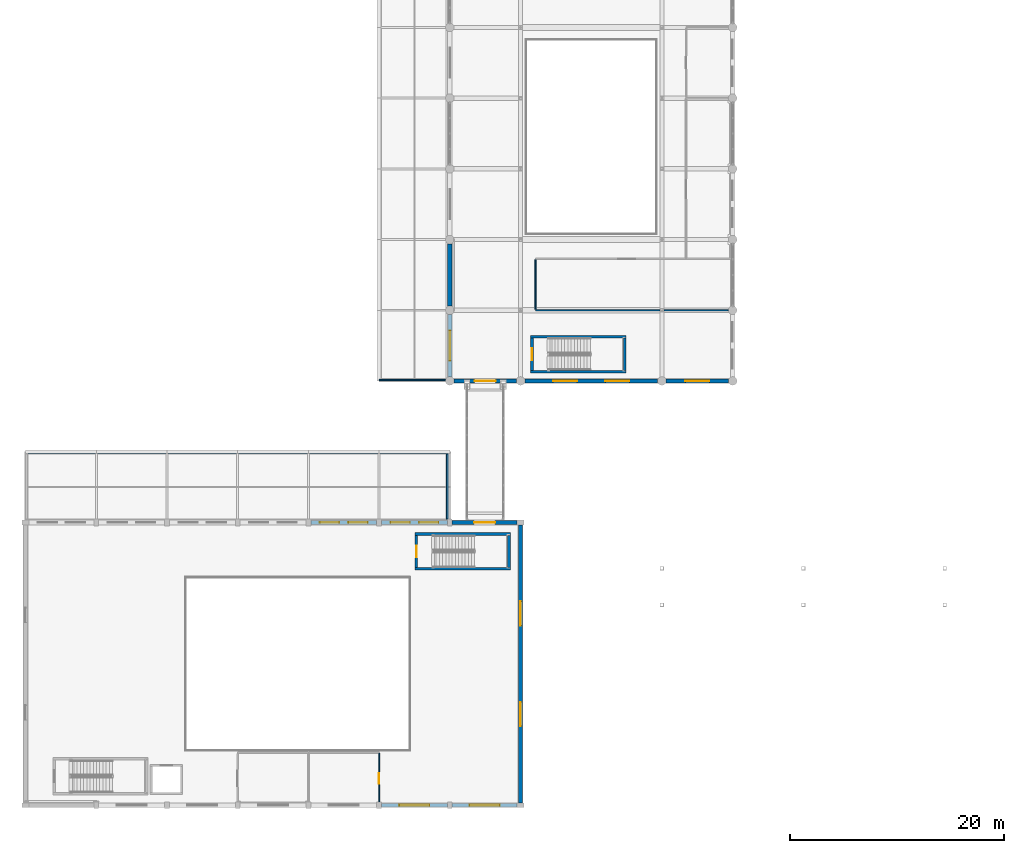
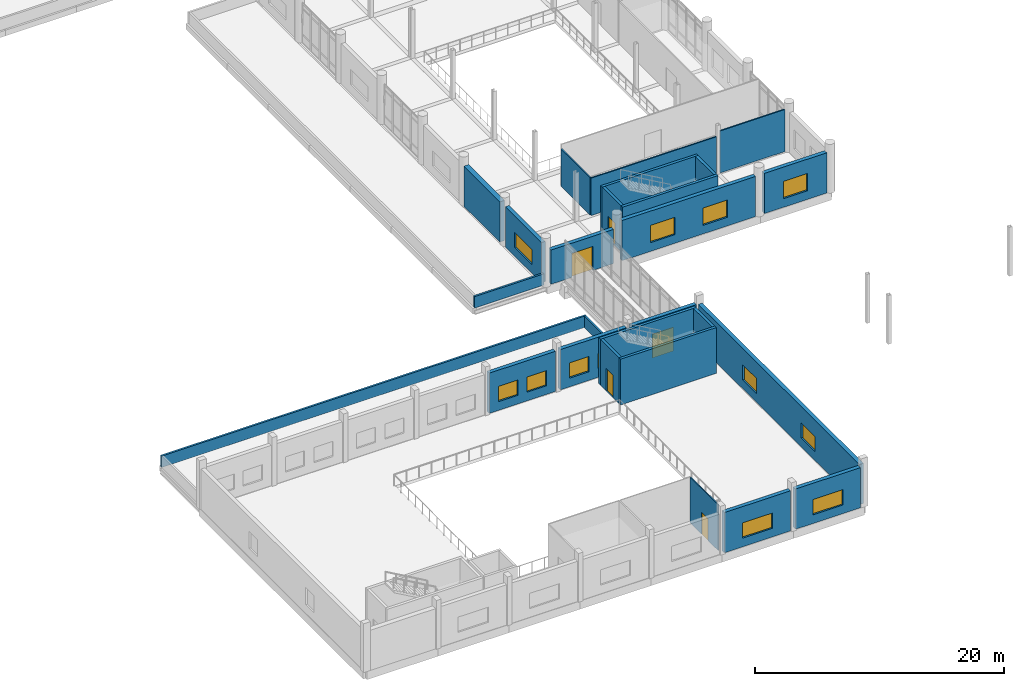
# One storey, part 87 of 125: 26 walls, 12 windows, 5 doors, 17 openings.
"""IFC4 building model written with IfcOpenShell, lengths in metres."""

from ifc_helpers import new_model, si_unit, direction, frame, frame_2d, origin, place, context, subcontext, project, spatial, rectangle, extrude, material, layer, layer_set, type_object, element, fill, save


model = new_model("IFC4")

# Units and contexts
model_context = context("Model", 3, precision=1e-05, world=origin(), true_north=direction((0.0, 1.0)))
body_context = subcontext(model_context, "Body", "Model", "MODEL_VIEW")
ifc_project = project(units=[si_unit("LENGTHUNIT", "METRE"), si_unit("AREAUNIT", "SQUARE_METRE"), si_unit("VOLUMEUNIT", "CUBIC_METRE"), si_unit("PLANEANGLEUNIT", "RADIAN"), si_unit("MASSUNIT", "GRAM", prefix="KILO")], contexts=[model_context])

# Site, building, storey
site_placement = place(None, origin())
site = spatial("IfcSite", under=ifc_project, at=site_placement, CompositionType="ELEMENT")
building_placement = place(site_placement, origin())
building = spatial("IfcBuilding", under=site, at=building_placement, Name="Dornvale Research Institute", CompositionType="ELEMENT")
storey_placement = place(building_placement, frame((0.0, 0.0, 5.39990234375)))
storey = spatial("IfcBuildingStorey", under=building, at=storey_placement, Name="L01", CompositionType="ELEMENT", Elevation=5.39990234375)

# Walls
ifc_material_1 = material(Name="Concrete f'c 40 MPa (C32/40)", Category="concrete")
ifc_layer_1 = layer(ifc_material_1, 0.179931640625)
ifc_layer_set_1 = layer_set([ifc_layer_1], Name="Concrete f'c 40 MPa (C32/40)")
wall_type_1 = type_object("IfcWallType", Name="Parapet_Terrace_180", PredefinedType="PARAPET", material=ifc_layer_set_1)
wall_1_placement = place(storey_placement, frame((0.0, 32.909912109375, 0.0), z_axis=(0.0, 0.0, 1.0), x_axis=(1.0, 0.0, 0.0)))
element("IfcWall", 1, at=wall_1_placement, inside=storey, type_object=wall_type_1, Name="L01 V6-S parapet N", PredefinedType="PARAPET", context=body_context, shape_type="SweptSolid", body=[
    extrude(rectangle(XDim=39.449951171875, YDim=0.179931640625, at=frame_2d((19.72509765625, 0.0))), origin(), (0.0, 0.0, 1.0), 1.1201171875),
])
wall_2_placement = place(storey_placement, frame((39.360107421875, 26.679931640625, 0.0), z_axis=(0.0, 0.0, 1.0), x_axis=(0.0, 1.0, 0.0)))
element("IfcWall", 2, at=wall_2_placement, inside=storey, type_object=wall_type_1, Name="L01 V6-S parapet E", PredefinedType="PARAPET", context=body_context, shape_type="SweptSolid", body=[
    extrude(rectangle(XDim=6.14013671875, YDim=0.179931640625, at=frame_2d((3.070068359375, 0.0))), origin(), (0.0, 0.0, 1.0), 1.1201171875),
])
wall_3_placement = place(storey_placement, frame((33.0, 39.68994140625, 0.0), z_axis=(0.0, 0.0, 1.0), x_axis=(1.0, 0.0, 0.0)))
element("IfcWall", 3, at=wall_3_placement, inside=storey, type_object=wall_type_1, Name="L01 V6-E parapet S", PredefinedType="PARAPET", context=body_context, shape_type="SweptSolid", body=[
    extrude(rectangle(XDim=6.449951171875, YDim=0.179931640625, at=frame_2d((3.22509765625, 0.0))), origin(), (0.0, 0.0, 1.0), 1.1201171875),
])
ifc_material_2 = material(Name="Acoustic Insulated Double-Stud Laboratory Partition")
ifc_layer_2 = layer(ifc_material_2, 0.1201171875)
ifc_layer_set_2 = layer_set([ifc_layer_2], Name="Acoustic Insulated Double-Stud Laboratory Partition")
wall_type_2 = type_object("IfcWallType", Name="Partition_Dry_120", PredefinedType="PARTITIONING", material=ifc_layer_set_2)
wall_4_placement = place(storey_placement, frame((47.60009765625, 46.199951171875, 0.0), z_axis=(0.0, 0.0, 1.0), x_axis=(1.0, 0.0, 0.0)))
element("IfcWall", 4, at=wall_4_placement, inside=storey, type_object=wall_type_2, Name="L01 V2 interior partition #224", PredefinedType="PARTITIONING", context=body_context, shape_type="SweptSolid", body=[
    extrude(rectangle(XDim=11.62744140625, YDim=0.1201171875, at=frame_2d((5.813720703125, 0.0))), origin(), (0.0, 0.0, 1.0), 3.68017578125),
])
wall_5_placement = place(storey_placement, frame((59.572509765625, 46.199951171875, 0.0), z_axis=(0.0, 0.0, 1.0), x_axis=(1.0, 0.0, 0.0)))
element("IfcWall", 5, at=wall_5_placement, inside=storey, type_object=wall_type_2, Name="L01 V2 interior partition #225", PredefinedType="PARTITIONING", context=body_context, shape_type="SweptSolid", body=[
    extrude(rectangle(XDim=6.007568359375, YDim=0.1201171875, at=frame_2d((3.00390625, 0.0))), origin(), (0.0, 0.0, 1.0), 4.130126953125),
])
wall_6_placement = place(storey_placement, frame((47.60009765625, 46.27490234375, 0.0), z_axis=(0.0, 0.0, 1.0), x_axis=(0.0, 1.0, 0.0)))
element("IfcWall", 6, at=wall_6_placement, inside=storey, type_object=wall_type_2, Name="L01 V2 interior partition #227", PredefinedType="PARTITIONING", context=body_context, shape_type="SweptSolid", body=[
    extrude(rectangle(XDim=4.650146484375, YDim=0.1201171875, at=frame_2d((2.3251953125, 0.0))), origin(), (0.0, 0.0, 1.0), 3.68017578125),
])

# Wall, opening, door
ifc_material_3 = material(Name="Acoustic Insulated Double-Stud Laboratory Partition")
ifc_layer_3 = layer(ifc_material_3, 0.10009765625)
ifc_layer_set_3 = layer_set([ifc_layer_3], Name="Acoustic Insulated Double-Stud Laboratory Partition")
wall_type_3 = type_object("IfcWallType", Name="Partition_Office_100", PredefinedType="PARTITIONING", material=ifc_layer_set_3)
wall_7_placement = place(storey_placement, frame((33.0, 0.344970703125, 0.0), z_axis=(0.0, 0.0, 1.0), x_axis=(0.0, 1.0, 0.0)))
wall_7 = element("IfcWall", 7, at=wall_7_placement, inside=storey, type_object=wall_type_3, Name="L01 V1 interior partition #236", PredefinedType="PARTITIONING", context=body_context, shape_type="SweptSolid", body=[
    extrude(rectangle(XDim=4.489990234375, YDim=0.10009765625, at=frame_2d((2.2451171875, 0.0))), origin(), (0.0, 0.0, 1.0), 4.47998046875),
])
opening_1_placement = place(wall_7_placement, frame((1.655029296875, 0.0, 0.0)))
opening_1 = element("IfcOpeningElement", 8, at=opening_1_placement, cuts=wall_7, Name="Opening ID-24", PredefinedType="OPENING", context=body_context, shape_type="SweptSolid", body=[
    extrude(rectangle(XDim=1.0, YDim=2.14990234375, at=frame_2d((0.5, 1.074951171875))), frame((0.0, 0.06494140625, 0.0), z_axis=(0.0, -1.0, 0.0), x_axis=(1.0, 0.0, 0.0)), (0.0, 0.0, 1.0), 0.130126953125),
])
ifc_material_4 = material(Name="Phenolic-Faced Solid-Core Laboratory Door Assembly")
door_type_1 = type_object("IfcDoorType", Name="Door_AccWC_1000x2150", OperationType="SINGLE_SWING_LEFT", PredefinedType="DOOR", material=ifc_material_4)
door_1_placement = place(opening_1_placement, origin())
door_1 = element("IfcDoor", 9, at=door_1_placement, inside=storey, type_object=door_type_1, Name="L01 Balcony Accessible Restroom L01 door #94", OperationType="SINGLE_SWING_LEFT", OverallHeight=2.14990234375, OverallWidth=1.0, PredefinedType="DOOR", context=body_context, shape_type="SweptSolid", body=[
    extrude(rectangle(XDim=1.0, YDim=2.14990234375, at=frame_2d((0.5, 1.074951171875))), frame((0.0, 0.02490234375, 0.0), z_axis=(0.0, -1.0, 0.0), x_axis=(1.0, 0.0, 0.0)), (0.0, 0.0, 1.0), 0.050048828125),
])
fill(opening_1, door_1)

# Walls
ifc_material_5 = material(Name="Concrete f'c 45 MPa (C35/45)", Category="concrete")
ifc_layer_4 = layer(ifc_material_5, 0.25)
ifc_layer_set_4 = layer_set([ifc_layer_4], Name="Concrete f'c 45 MPa (C35/45)")
wall_type_4 = type_object("IfcWallType", Name="ShearWall_Core_250", PredefinedType="SHEAR", material=ifc_layer_set_4)
for number, where, z_axis, x_axis, name in (
    (10, (47.14990234375, 40.47509765625, 0.0), (0.0, 0.0, 1.0), (1.0, 0.0, 0.0), "L01 ST-7 shaft shear wall south"),
    (11, (47.14990234375, 43.72509765625, 0.0), (0.0, 0.0, 1.0), (1.0, 0.0, 0.0), "L01 ST-7 shaft shear wall north"),
):
    element("IfcWall", number, at=place(storey_placement, frame(where, z_axis=z_axis, x_axis=x_axis)), inside=storey, type_object=wall_type_4, Name=name, PredefinedType="SHEAR", context=body_context, shape_type="SweptSolid", body=[
        extrude(rectangle(XDim=8.900146484375, YDim=0.25, at=frame_2d((4.4501953125, 0.0))), origin(), (0.0, 0.0, 1.0), 4.5),
    ])

# Wall, opening, door
wall_8_placement = place(storey_placement, frame((47.27490234375, 40.60009765625, 0.0), z_axis=(0.0, 0.0, 1.0), x_axis=(0.0, 1.0, 0.0)))
wall_8 = element("IfcWall", 12, at=wall_8_placement, inside=storey, type_object=wall_type_4, Name="L01 ST-7 shaft shear wall west", PredefinedType="SHEAR", context=body_context, shape_type="SweptSolid", body=[
    extrude(rectangle(XDim=3.0, YDim=0.25, at=frame_2d((1.5, 0.0))), origin(), (0.0, 0.0, 1.0), 4.5),
])
opening_2_placement = place(wall_8_placement, frame((0.93994140625, 0.0, 0.0)))
opening_2 = element("IfcOpeningElement", 13, at=opening_2_placement, cuts=wall_8, Name="Opening SD-01", PredefinedType="OPENING", context=body_context, shape_type="SweptSolid", body=[
    extrude(rectangle(XDim=1.1201171875, YDim=2.199951171875, at=frame_2d((0.56005859375, 1.10009765625))), frame((0.0, 0.139892578125, 0.0), z_axis=(0.0, -1.0, 0.0), x_axis=(1.0, 0.0, 0.0)), (0.0, 0.0, 1.0), 0.280029296875),
])
ifc_material_6 = material(Name="Insulated Fire-Rated Hollow Metal Door Assembly")
door_type_2 = type_object("IfcDoorType", Name="Door_Stair_1120x2200", OperationType="SINGLE_SWING_LEFT", PredefinedType="DOOR", material=ifc_material_6)
door_2_placement = place(opening_2_placement, origin())
door_2 = element("IfcDoor", 14, at=door_2_placement, inside=storey, type_object=door_type_2, Name="L01 ST-7 exit stair door #52", OperationType="SINGLE_SWING_LEFT", OverallHeight=2.199951171875, OverallWidth=1.1201171875, PredefinedType="DOOR", context=body_context, shape_type="SweptSolid", body=[
    extrude(rectangle(XDim=1.1201171875, YDim=2.199951171875, at=frame_2d((0.56005859375, 1.10009765625))), frame((0.0, 0.02490234375, 0.0), z_axis=(0.0, -1.0, 0.0), x_axis=(1.0, 0.0, 0.0)), (0.0, 0.0, 1.0), 0.050048828125),
])
fill(opening_2, door_2)

# Walls
wall_9_placement = place(storey_placement, frame((55.925048828125, 40.60009765625, 0.0), z_axis=(0.0, 0.0, 1.0), x_axis=(0.0, 1.0, 0.0)))
element("IfcWall", 15, at=wall_9_placement, inside=storey, type_object=wall_type_4, Name="L01 ST-7 shaft shear wall east", PredefinedType="SHEAR", context=body_context, shape_type="SweptSolid", body=[
    extrude(rectangle(XDim=3.0, YDim=0.25, at=frame_2d((1.5, 0.0))), origin(), (0.0, 0.0, 1.0), 4.5),
])
for number, where, z_axis, x_axis, name in (
    (16, (36.35009765625, 22.074951171875, 0.0), (0.0, 0.0, 1.0), (1.0, 0.0, 0.0), "L01 ST-10 shaft shear wall south"),
    (17, (36.35009765625, 25.324951171875, 0.0), (0.0, 0.0, 1.0), (1.0, 0.0, 0.0), "L01 ST-10 shaft shear wall north"),
):
    element("IfcWall", number, at=place(storey_placement, frame(where, z_axis=z_axis, x_axis=x_axis)), inside=storey, type_object=wall_type_4, Name=name, PredefinedType="SHEAR", context=body_context, shape_type="SweptSolid", body=[
        extrude(rectangle(XDim=8.89990234375, YDim=0.25, at=frame_2d((4.449951171875, 0.0))), origin(), (0.0, 0.0, 1.0), 4.5),
    ])

# Wall, opening, door
wall_10_placement = place(storey_placement, frame((36.47509765625, 22.199951171875, 0.0), z_axis=(0.0, 0.0, 1.0), x_axis=(0.0, 1.0, 0.0)))
wall_10 = element("IfcWall", 18, at=wall_10_placement, inside=storey, type_object=wall_type_4, Name="L01 ST-10 shaft shear wall west", PredefinedType="SHEAR", context=body_context, shape_type="SweptSolid", body=[
    extrude(rectangle(XDim=3.0, YDim=0.25, at=frame_2d((1.5, 0.0))), origin(), (0.0, 0.0, 1.0), 4.5),
])
opening_3_placement = place(wall_10_placement, frame((0.9599609375, 0.0, 0.0)))
opening_3 = element("IfcOpeningElement", 19, at=opening_3_placement, cuts=wall_10, Name="Opening SD-02", PredefinedType="OPENING", context=body_context, shape_type="SweptSolid", body=[
    extrude(rectangle(XDim=1.080078125, YDim=2.199951171875, at=frame_2d((0.5400390625, 1.10009765625))), frame((0.0, 0.139892578125, 0.0), z_axis=(0.0, -1.0, 0.0), x_axis=(1.0, 0.0, 0.0)), (0.0, 0.0, 1.0), 0.280029296875),
])
ifc_material_7 = material(Name="Insulated Fire-Rated Hollow Metal Door Assembly")
door_type_3 = type_object("IfcDoorType", Name="Door_Stair_1080x2200", OperationType="SINGLE_SWING_LEFT", PredefinedType="DOOR", material=ifc_material_7)
door_3_placement = place(opening_3_placement, origin())
door_3 = element("IfcDoor", 20, at=door_3_placement, inside=storey, type_object=door_type_3, Name="L01 ST-10 exit stair door #63", OperationType="SINGLE_SWING_RIGHT", OverallHeight=2.199951171875, OverallWidth=1.080078125, PredefinedType="DOOR", context=body_context, shape_type="SweptSolid", body=[
    extrude(rectangle(XDim=1.080078125, YDim=2.199951171875, at=frame_2d((0.5400390625, 1.10009765625))), frame((0.0, 0.02490234375, 0.0), z_axis=(0.0, -1.0, 0.0), x_axis=(1.0, 0.0, 0.0)), (0.0, 0.0, 1.0), 0.050048828125),
])
fill(opening_3, door_3)

# Walls
wall_11_placement = place(storey_placement, frame((45.125, 22.199951171875, 0.0), z_axis=(0.0, 0.0, 1.0), x_axis=(0.0, 1.0, 0.0)))
element("IfcWall", 21, at=wall_11_placement, inside=storey, type_object=wall_type_4, Name="L01 ST-10 shaft shear wall east", PredefinedType="SHEAR", context=body_context, shape_type="SweptSolid", body=[
    extrude(rectangle(XDim=3.0, YDim=0.25, at=frame_2d((1.5, 0.0))), origin(), (0.0, 0.0, 1.0), 4.5),
])
ifc_material_8 = material(Name="Precast Concrete f'c 40 MPa (C32/40) and Glazed Terracotta Backup Wall", Category="masonry")
ifc_layer_5 = layer(ifc_material_8, 0.449951171875)
ifc_layer_set_5 = layer_set([ifc_layer_5], Name="Precast Concrete f'c 40 MPa (C32/40) and Glazed Terracotta Backup Wall")
wall_type_5 = type_object("IfcWallType", Name="SolidWall_ShearBraceBay_450", PredefinedType="SOLIDWALL", material=ifc_layer_set_5)
wall_12_placement = place(storey_placement, frame((39.60009765625, 46.594970703125, 0.0), z_axis=(0.0, 0.0, 1.0), x_axis=(0.0, 1.0, 0.0)))
element("IfcWall", 22, at=wall_12_placement, inside=storey, type_object=wall_type_5, Name="L01 V2 west exterior wall #66", PredefinedType="SOLIDWALL", context=body_context, shape_type="SweptSolid", body=[
    extrude(rectangle(XDim=5.81005859375, YDim=0.449951171875, at=frame_2d((2.905029296875, 0.0))), origin(), (0.0, 0.0, 1.0), 3.9501953125),
])

# Wall, openings, windows
ifc_material_9 = material(Name="Catalan Pressed Brick and Insulated Cavity Assembly", Category="masonry")
ifc_layer_6 = layer(ifc_material_9, 0.360107421875)
ifc_layer_set_6 = layer_set([ifc_layer_6], Name="Catalan Pressed Brick and Insulated Cavity Assembly")
wall_type_6 = type_object("IfcWallType", Name="StandardWall_BrickCavity_360", PredefinedType="STANDARD", material=ifc_layer_set_6)
wall_13_placement = place(storey_placement, frame((26.625, 26.39990234375, 0.0), z_axis=(0.0, 0.0, 1.0), x_axis=(1.0, 0.0, 0.0)))
wall_13 = element("IfcWall", 23, at=wall_13_placement, inside=storey, type_object=wall_type_6, Name="L01 V1 north exterior wall #22", PredefinedType="STANDARD", context=body_context, shape_type="SweptSolid", body=[
    extrude(rectangle(XDim=6.14990234375, YDim=0.360107421875, at=frame_2d((3.074951171875, 0.0))), origin(), (0.0, 0.0, 1.0), 3.9501953125),
])
opening_4_placement = place(wall_13_placement, frame((0.85009765625, 0.0, 0.85009765625)))
opening_4 = element("IfcOpeningElement", 24, at=opening_4_placement, cuts=wall_13, Name="Opening W-05", PredefinedType="OPENING", context=body_context, shape_type="SweptSolid", body=[
    extrude(rectangle(XDim=1.800048828125, YDim=1.5, at=frame_2d((0.89990234375, 0.75))), frame((0.0, 0.195068359375, 0.0), z_axis=(0.0, -1.0, 0.0), x_axis=(1.0, 0.0, 0.0)), (0.0, 0.0, 1.0), 0.39013671875),
])
opening_5_placement = place(wall_13_placement, frame((3.5, 0.0, 0.85009765625)))
opening_5 = element("IfcOpeningElement", 25, at=opening_5_placement, cuts=wall_13, Name="Opening W-05", PredefinedType="OPENING", context=body_context, shape_type="SweptSolid", body=[
    extrude(rectangle(XDim=1.800048828125, YDim=1.5, at=frame_2d((0.89990234375, 0.75))), frame((0.0, 0.195068359375, 0.0), z_axis=(0.0, -1.0, 0.0), x_axis=(1.0, 0.0, 0.0)), (0.0, 0.0, 1.0), 0.39013671875),
])
ifc_material_10 = material(Name="Low-E Argon Double Insulating Glazing Unit", Category="glass")
window_type_1 = type_object("IfcWindowType", Name="Window_Alu_1800x1500_05", PartitioningType="DOUBLE_PANEL_VERTICAL", PredefinedType="WINDOW", material=ifc_material_10)
window_1_placement = place(opening_4_placement, origin())
window_1 = element("IfcWindow", 26, at=window_1_placement, inside=storey, type_object=window_type_1, Name="L01 V1 facade window W-05 #31", OverallHeight=1.5, OverallWidth=1.800048828125, PartitioningType="DOUBLE_PANEL_VERTICAL", PredefinedType="WINDOW", context=body_context, shape_type="SweptSolid", body=[
    extrude(rectangle(XDim=1.800048828125, YDim=1.5, at=frame_2d((0.89990234375, 0.75))), frame((0.0, 0.030029296875, 0.0), z_axis=(0.0, -1.0, 0.0), x_axis=(1.0, 0.0, 0.0)), (0.0, 0.0, 1.0), 0.06005859375),
])
fill(opening_4, window_1)
window_2_placement = place(opening_5_placement, origin())
window_2 = element("IfcWindow", 27, at=window_2_placement, inside=storey, type_object=window_type_1, Name="L01 V1 facade window W-05 #32", OverallHeight=1.5, OverallWidth=1.800048828125, PartitioningType="DOUBLE_PANEL_VERTICAL", PredefinedType="WINDOW", context=body_context, shape_type="SweptSolid", body=[
    extrude(rectangle(XDim=1.800048828125, YDim=1.5, at=frame_2d((0.89990234375, 0.75))), frame((0.0, 0.030029296875, 0.0), z_axis=(0.0, -1.0, 0.0), x_axis=(1.0, 0.0, 0.0)), (0.0, 0.0, 1.0), 0.06005859375),
])
fill(opening_5, window_2)

wall_14_placement = place(storey_placement, frame((33.22509765625, 26.39990234375, 0.0), z_axis=(0.0, 0.0, 1.0), x_axis=(1.0, 0.0, 0.0)))
wall_14 = element("IfcWall", 28, at=wall_14_placement, inside=storey, type_object=wall_type_6, Name="L01 V1 north exterior wall #23", PredefinedType="STANDARD", context=body_context, shape_type="SweptSolid", body=[
    extrude(rectangle(XDim=6.14990234375, YDim=0.360107421875, at=frame_2d((3.074951171875, 0.0))), origin(), (0.0, 0.0, 1.0), 3.9501953125),
])
opening_6_placement = place(wall_14_placement, frame((0.85009765625, 0.0, 0.85009765625)))
opening_6 = element("IfcOpeningElement", 29, at=opening_6_placement, cuts=wall_14, Name="Opening W-05", PredefinedType="OPENING", context=body_context, shape_type="SweptSolid", body=[
    extrude(rectangle(XDim=1.800048828125, YDim=1.5, at=frame_2d((0.89990234375, 0.75))), frame((0.0, 0.195068359375, 0.0), z_axis=(0.0, -1.0, 0.0), x_axis=(1.0, 0.0, 0.0)), (0.0, 0.0, 1.0), 0.39013671875),
])
opening_7_placement = place(wall_14_placement, frame((3.5, 0.0, 0.85009765625)))
opening_7 = element("IfcOpeningElement", 30, at=opening_7_placement, cuts=wall_14, Name="Opening W-05", PredefinedType="OPENING", context=body_context, shape_type="SweptSolid", body=[
    extrude(rectangle(XDim=1.800048828125, YDim=1.5, at=frame_2d((0.89990234375, 0.75))), frame((0.0, 0.195068359375, 0.0), z_axis=(0.0, -1.0, 0.0), x_axis=(1.0, 0.0, 0.0)), (0.0, 0.0, 1.0), 0.39013671875),
])
window_3_placement = place(opening_6_placement, origin())
window_3 = element("IfcWindow", 31, at=window_3_placement, inside=storey, type_object=window_type_1, Name="L01 V1 facade window W-05 #33", OverallHeight=1.5, OverallWidth=1.800048828125, PartitioningType="DOUBLE_PANEL_VERTICAL", PredefinedType="WINDOW", context=body_context, shape_type="SweptSolid", body=[
    extrude(rectangle(XDim=1.800048828125, YDim=1.5, at=frame_2d((0.89990234375, 0.75))), frame((0.0, 0.030029296875, 0.0), z_axis=(0.0, -1.0, 0.0), x_axis=(1.0, 0.0, 0.0)), (0.0, 0.0, 1.0), 0.06005859375),
])
fill(opening_6, window_3)
window_4_placement = place(opening_7_placement, origin())
window_4 = element("IfcWindow", 32, at=window_4_placement, inside=storey, type_object=window_type_1, Name="L01 V1 facade window W-05 #34", OverallHeight=1.5, OverallWidth=1.800048828125, PartitioningType="DOUBLE_PANEL_VERTICAL", PredefinedType="WINDOW", context=body_context, shape_type="SweptSolid", body=[
    extrude(rectangle(XDim=1.800048828125, YDim=1.5, at=frame_2d((0.89990234375, 0.75))), frame((0.0, 0.030029296875, 0.0), z_axis=(0.0, -1.0, 0.0), x_axis=(1.0, 0.0, 0.0)), (0.0, 0.0, 1.0), 0.06005859375),
])
fill(opening_7, window_4)

# Wall, opening, door
wall_15_placement = place(storey_placement, frame((39.824951171875, 26.39990234375, 0.0), z_axis=(0.0, 0.0, 1.0), x_axis=(1.0, 0.0, 0.0)))
wall_15 = element("IfcWall", 33, at=wall_15_placement, inside=storey, type_object=wall_type_6, Name="L01 V1 north exterior wall #24", PredefinedType="STANDARD", context=body_context, shape_type="SweptSolid", body=[
    extrude(rectangle(XDim=6.050048828125, YDim=0.360107421875, at=frame_2d((3.02490234375, 0.0))), origin(), (0.0, 0.0, 1.0), 3.9501953125),
])
opening_8_placement = place(wall_15_placement, frame((2.050048828125, 0.0, 0.0)))
opening_8 = element("IfcOpeningElement", 34, at=opening_8_placement, cuts=wall_15, Name="Opening BD-01", PredefinedType="OPENING", context=body_context, shape_type="SweptSolid", body=[
    extrude(rectangle(XDim=1.949951171875, YDim=2.35009765625, at=frame_2d((0.97509765625, 1.175048828125))), frame((0.0, 0.195068359375, 0.0), z_axis=(0.0, -1.0, 0.0), x_axis=(1.0, 0.0, 0.0)), (0.0, 0.0, 1.0), 0.39013671875),
])
ifc_material_11 = material(Name="Galvanized Hollow Metal Insulated Door Assembly")
door_type_4 = type_object("IfcDoorType", Name="Door_BridgeJoint_1950x2350", OperationType="SINGLE_SWING_LEFT", PredefinedType="DOOR", material=ifc_material_11)
door_4_placement = place(opening_8_placement, origin())
door_4 = element("IfcDoor", 35, at=door_4_placement, inside=storey, type_object=door_type_4, Name="L01 V1 skybridge door BD-01 #3", OperationType="DOUBLE_DOOR_SINGLE_SWING", OverallHeight=2.35009765625, OverallWidth=1.949951171875, PredefinedType="DOOR", context=body_context, shape_type="SweptSolid", body=[
    extrude(rectangle(XDim=1.949951171875, YDim=2.35009765625, at=frame_2d((0.97509765625, 1.175048828125))), frame((0.0, 0.02490234375, 0.0), z_axis=(0.0, -1.0, 0.0), x_axis=(1.0, 0.0, 0.0)), (0.0, 0.0, 1.0), 0.050048828125),
])
fill(opening_8, door_4)

# Wall, openings, windows
wall_16_placement = place(storey_placement, frame((46.199951171875, 26.175048828125, 0.0), z_axis=(0.0, 0.0, 1.0), x_axis=(0.0, -1.0, 0.0)))
wall_16 = element("IfcWall", 36, at=wall_16_placement, inside=storey, type_object=wall_type_6, Name="L01 V1 east exterior wall #25", PredefinedType="STANDARD", context=body_context, shape_type="SweptSolid", body=[
    extrude(rectangle(XDim=25.949951171875, YDim=0.360107421875, at=frame_2d((12.97509765625, 0.0))), origin(), (0.0, 0.0, 1.0), 3.9501953125),
])
opening_9_placement = place(wall_16_placement, frame((7.14990234375, 0.0, 0.85009765625)))
opening_9 = element("IfcOpeningElement", 37, at=opening_9_placement, cuts=wall_16, Name="Opening W-08", PredefinedType="OPENING", context=body_context, shape_type="SweptSolid", body=[
    extrude(rectangle(XDim=2.25, YDim=1.5, at=frame_2d((1.125, 0.75))), frame((0.0, 0.195068359375, 0.0), z_axis=(0.0, -1.0, 0.0), x_axis=(1.0, 0.0, 0.0)), (0.0, 0.0, 1.0), 0.39013671875),
])
opening_10_placement = place(wall_16_placement, frame((16.550048828125, 0.0, 0.85009765625)))
opening_10 = element("IfcOpeningElement", 38, at=opening_10_placement, cuts=wall_16, Name="Opening W-08", PredefinedType="OPENING", context=body_context, shape_type="SweptSolid", body=[
    extrude(rectangle(XDim=2.25, YDim=1.5, at=frame_2d((1.125, 0.75))), frame((0.0, 0.195068359375, 0.0), z_axis=(0.0, -1.0, 0.0), x_axis=(1.0, 0.0, 0.0)), (0.0, 0.0, 1.0), 0.39013671875),
])
ifc_material_12 = material(Name="Low-E Argon Double Insulating Glazing Unit", Category="glass")
window_type_2 = type_object("IfcWindowType", Name="Window_Alu_2250x1500_08", PartitioningType="DOUBLE_PANEL_VERTICAL", PredefinedType="WINDOW", material=ifc_material_12)
window_5_placement = place(opening_9_placement, origin())
window_5 = element("IfcWindow", 39, at=window_5_placement, inside=storey, type_object=window_type_2, Name="L01 V1 facade window W-08 #35", OverallHeight=1.5, OverallWidth=2.25, PartitioningType="DOUBLE_PANEL_VERTICAL", PredefinedType="WINDOW", context=body_context, shape_type="SweptSolid", body=[
    extrude(rectangle(XDim=2.25, YDim=1.5, at=frame_2d((1.125, 0.75))), frame((0.0, 0.030029296875, 0.0), z_axis=(0.0, -1.0, 0.0), x_axis=(1.0, 0.0, 0.0)), (0.0, 0.0, 1.0), 0.06005859375),
])
fill(opening_9, window_5)
window_6_placement = place(opening_10_placement, origin())
window_6 = element("IfcWindow", 40, at=window_6_placement, inside=storey, type_object=window_type_2, Name="L01 V1 facade window W-08 #36", OverallHeight=1.5, OverallWidth=2.25, PartitioningType="DOUBLE_PANEL_VERTICAL", PredefinedType="WINDOW", context=body_context, shape_type="SweptSolid", body=[
    extrude(rectangle(XDim=2.25, YDim=1.5, at=frame_2d((1.125, 0.75))), frame((0.0, 0.030029296875, 0.0), z_axis=(0.0, -1.0, 0.0), x_axis=(1.0, 0.0, 0.0)), (0.0, 0.0, 1.0), 0.06005859375),
])
fill(opening_10, window_6)

# Wall, opening, window
wall_17_placement = place(storey_placement, frame((45.875, 0.0, 0.0), z_axis=(0.0, 0.0, 1.0), x_axis=(-1.0, 0.0, 0.0)))
wall_17 = element("IfcWall", 41, at=wall_17_placement, inside=storey, type_object=wall_type_6, Name="L01 V1 south exterior wall #26", PredefinedType="STANDARD", context=body_context, shape_type="SweptSolid", body=[
    extrude(rectangle(XDim=6.050048828125, YDim=0.360107421875, at=frame_2d((3.02490234375, 0.0))), origin(), (0.0, 0.0, 1.0), 3.9501953125),
])
opening_11_placement = place(wall_17_placement, frame((1.625, 0.0, 0.85009765625)))
opening_11 = element("IfcOpeningElement", 42, at=opening_11_placement, cuts=wall_17, Name="Opening W-11", PredefinedType="OPENING", context=body_context, shape_type="SweptSolid", body=[
    extrude(rectangle(XDim=2.800048828125, YDim=1.5, at=frame_2d((1.39990234375, 0.75))), frame((0.0, 0.195068359375, 0.0), z_axis=(0.0, -1.0, 0.0), x_axis=(1.0, 0.0, 0.0)), (0.0, 0.0, 1.0), 0.39013671875),
])
ifc_material_13 = material(Name="Low-E Argon Double Insulating Glazing Unit", Category="glass")
window_type_3 = type_object("IfcWindowType", Name="Window_Alu_2800x1500_11", PartitioningType="DOUBLE_PANEL_VERTICAL", PredefinedType="WINDOW", material=ifc_material_13)
window_7_placement = place(opening_11_placement, origin())
window_7 = element("IfcWindow", 43, at=window_7_placement, inside=storey, type_object=window_type_3, Name="L01 V1 facade window W-11 #37", OverallHeight=1.5, OverallWidth=2.800048828125, PartitioningType="DOUBLE_PANEL_VERTICAL", PredefinedType="WINDOW", context=body_context, shape_type="SweptSolid", body=[
    extrude(rectangle(XDim=2.800048828125, YDim=1.5, at=frame_2d((1.39990234375, 0.75))), frame((0.0, 0.030029296875, 0.0), z_axis=(0.0, -1.0, 0.0), x_axis=(1.0, 0.0, 0.0)), (0.0, 0.0, 1.0), 0.06005859375),
])
fill(opening_11, window_7)

wall_18_placement = place(storey_placement, frame((39.375, 0.0, 0.0), z_axis=(0.0, 0.0, 1.0), x_axis=(-1.0, 0.0, 0.0)))
wall_18 = element("IfcWall", 44, at=wall_18_placement, inside=storey, type_object=wall_type_6, Name="L01 V1 south exterior wall #27", PredefinedType="STANDARD", context=body_context, shape_type="SweptSolid", body=[
    extrude(rectangle(XDim=6.14990234375, YDim=0.360107421875, at=frame_2d((3.074951171875, 0.0))), origin(), (0.0, 0.0, 1.0), 3.9501953125),
])
opening_12_placement = place(wall_18_placement, frame((1.675048828125, 0.0, 0.85009765625)))
opening_12 = element("IfcOpeningElement", 45, at=opening_12_placement, cuts=wall_18, Name="Opening W-11", PredefinedType="OPENING", context=body_context, shape_type="SweptSolid", body=[
    extrude(rectangle(XDim=2.800048828125, YDim=1.5, at=frame_2d((1.39990234375, 0.75))), frame((0.0, 0.195068359375, 0.0), z_axis=(0.0, -1.0, 0.0), x_axis=(1.0, 0.0, 0.0)), (0.0, 0.0, 1.0), 0.39013671875),
])
window_8_placement = place(opening_12_placement, origin())
window_8 = element("IfcWindow", 46, at=window_8_placement, inside=storey, type_object=window_type_3, Name="L01 V1 facade window W-11 #38", OverallHeight=1.5, OverallWidth=2.800048828125, PartitioningType="DOUBLE_PANEL_VERTICAL", PredefinedType="WINDOW", context=body_context, shape_type="SweptSolid", body=[
    extrude(rectangle(XDim=2.800048828125, YDim=1.5, at=frame_2d((1.39990234375, 0.75))), frame((0.0, 0.030029296875, 0.0), z_axis=(0.0, -1.0, 0.0), x_axis=(1.0, 0.0, 0.0)), (0.0, 0.0, 1.0), 0.06005859375),
])
fill(opening_12, window_8)

wall_19_placement = place(storey_placement, frame((39.60009765625, 39.9951171875, 0.0), z_axis=(0.0, 0.0, 1.0), x_axis=(0.0, 1.0, 0.0)))
wall_19 = element("IfcWall", 47, at=wall_19_placement, inside=storey, type_object=wall_type_6, Name="L01 V2 west exterior wall #65", PredefinedType="STANDARD", context=body_context, shape_type="SweptSolid", body=[
    extrude(rectangle(XDim=5.809814453125, YDim=0.360107421875, at=frame_2d((2.90478515625, 0.0))), origin(), (0.0, 0.0, 1.0), 3.9501953125),
])
opening_13_placement = place(wall_19_placement, frame((1.5048828125, 0.0, 0.85009765625)))
opening_13 = element("IfcOpeningElement", 48, at=opening_13_placement, cuts=wall_19, Name="Opening W-11", PredefinedType="OPENING", context=body_context, shape_type="SweptSolid", body=[
    extrude(rectangle(XDim=2.800048828125, YDim=1.5, at=frame_2d((1.39990234375, 0.75))), frame((0.0, 0.195068359375, 0.0), z_axis=(0.0, -1.0, 0.0), x_axis=(1.0, 0.0, 0.0)), (0.0, 0.0, 1.0), 0.39013671875),
])
window_9_placement = place(opening_13_placement, origin())
window_9 = element("IfcWindow", 49, at=window_9_placement, inside=storey, type_object=window_type_3, Name="L01 V2 facade window W-11 #80", OverallHeight=1.5, OverallWidth=2.800048828125, PartitioningType="DOUBLE_PANEL_VERTICAL", PredefinedType="WINDOW", context=body_context, shape_type="SweptSolid", body=[
    extrude(rectangle(XDim=2.800048828125, YDim=1.5, at=frame_2d((1.39990234375, 0.75))), frame((0.0, 0.030029296875, 0.0), z_axis=(0.0, -1.0, 0.0), x_axis=(1.0, 0.0, 0.0)), (0.0, 0.0, 1.0), 0.06005859375),
])
fill(opening_13, window_9)

wall_20_placement = place(storey_placement, frame((65.60498046875, 39.60009765625, 0.0), z_axis=(0.0, 0.0, 1.0), x_axis=(-1.0, 0.0, 0.0)))
wall_20 = element("IfcWall", 50, at=wall_20_placement, inside=storey, type_object=wall_type_6, Name="L01 V2 south exterior wall #77", PredefinedType="STANDARD", context=body_context, shape_type="SweptSolid", body=[
    extrude(rectangle(XDim=5.81005859375, YDim=0.360107421875, at=frame_2d((2.905029296875, 0.0))), origin(), (0.0, 0.0, 1.0), 3.9501953125),
])
opening_14_placement = place(wall_20_placement, frame((1.780029296875, 0.0, 0.85009765625)))
opening_14 = element("IfcOpeningElement", 51, at=opening_14_placement, cuts=wall_20, Name="Opening W-20", PredefinedType="OPENING", context=body_context, shape_type="SweptSolid", body=[
    extrude(rectangle(XDim=2.25, YDim=1.699951171875, at=frame_2d((1.125, 0.85009765625))), frame((0.0, 0.195068359375, 0.0), z_axis=(0.0, -1.0, 0.0), x_axis=(1.0, 0.0, 0.0)), (0.0, 0.0, 1.0), 0.39013671875),
])
ifc_material_14 = material(Name="Low-E Argon Double Insulating Glazing Unit", Category="glass")
window_type_4 = type_object("IfcWindowType", Name="Window_Alu_2250x1700_20", PartitioningType="DOUBLE_PANEL_VERTICAL", PredefinedType="WINDOW", material=ifc_material_14)
window_10_placement = place(opening_14_placement, origin())
window_10 = element("IfcWindow", 52, at=window_10_placement, inside=storey, type_object=window_type_4, Name="L01 V2 facade window W-20 #96", OverallHeight=1.699951171875, OverallWidth=2.25, PartitioningType="DOUBLE_PANEL_VERTICAL", PredefinedType="WINDOW", context=body_context, shape_type="SweptSolid", body=[
    extrude(rectangle(XDim=2.25, YDim=1.699951171875, at=frame_2d((1.125, 0.85009765625))), frame((0.0, 0.030029296875, 0.0), z_axis=(0.0, -1.0, 0.0), x_axis=(1.0, 0.0, 0.0)), (0.0, 0.0, 1.0), 0.06005859375),
])
fill(opening_14, window_10)

# Wall, openings, windows
wall_21_placement = place(storey_placement, frame((59.0048828125, 39.60009765625, 0.0), z_axis=(0.0, 0.0, 1.0), x_axis=(-1.0, 0.0, 0.0)))
wall_21 = element("IfcWall", 53, at=wall_21_placement, inside=storey, type_object=wall_type_6, Name="L01 V2 south exterior wall #78", PredefinedType="STANDARD", context=body_context, shape_type="SweptSolid", body=[
    extrude(rectangle(XDim=12.409912109375, YDim=0.360107421875, at=frame_2d((6.205078125, 0.0))), origin(), (0.0, 0.0, 1.0), 3.9501953125),
])
opening_15_placement = place(wall_21_placement, frame((2.63671875, 0.0, 0.85009765625)))
opening_15 = element("IfcOpeningElement", 54, at=opening_15_placement, cuts=wall_21, Name="Opening W-20", PredefinedType="OPENING", context=body_context, shape_type="SweptSolid", body=[
    extrude(rectangle(XDim=2.25, YDim=1.699951171875, at=frame_2d((1.125, 0.85009765625))), frame((0.0, 0.195068359375, 0.0), z_axis=(0.0, -1.0, 0.0), x_axis=(1.0, 0.0, 0.0)), (0.0, 0.0, 1.0), 0.39013671875),
])
opening_16_placement = place(wall_21_placement, frame((7.5234375, 0.0, 0.85009765625)))
opening_16 = element("IfcOpeningElement", 55, at=opening_16_placement, cuts=wall_21, Name="Opening W-20", PredefinedType="OPENING", context=body_context, shape_type="SweptSolid", body=[
    extrude(rectangle(XDim=2.25, YDim=1.699951171875, at=frame_2d((1.125, 0.85009765625))), frame((0.0, 0.195068359375, 0.0), z_axis=(0.0, -1.0, 0.0), x_axis=(1.0, 0.0, 0.0)), (0.0, 0.0, 1.0), 0.39013671875),
])
window_11_placement = place(opening_15_placement, origin())
window_11 = element("IfcWindow", 56, at=window_11_placement, inside=storey, type_object=window_type_4, Name="L01 V2 facade window W-20 #97", OverallHeight=1.699951171875, OverallWidth=2.25, PartitioningType="DOUBLE_PANEL_VERTICAL", PredefinedType="WINDOW", context=body_context, shape_type="SweptSolid", body=[
    extrude(rectangle(XDim=2.25, YDim=1.699951171875, at=frame_2d((1.125, 0.85009765625))), frame((0.0, 0.030029296875, 0.0), z_axis=(0.0, -1.0, 0.0), x_axis=(1.0, 0.0, 0.0)), (0.0, 0.0, 1.0), 0.06005859375),
])
fill(opening_15, window_11)
window_12_placement = place(opening_16_placement, origin())
window_12 = element("IfcWindow", 57, at=window_12_placement, inside=storey, type_object=window_type_4, Name="L01 V2 facade window W-20 #98", OverallHeight=1.699951171875, OverallWidth=2.25, PartitioningType="DOUBLE_PANEL_VERTICAL", PredefinedType="WINDOW", context=body_context, shape_type="SweptSolid", body=[
    extrude(rectangle(XDim=2.25, YDim=1.699951171875, at=frame_2d((1.125, 0.85009765625))), frame((0.0, 0.030029296875, 0.0), z_axis=(0.0, -1.0, 0.0), x_axis=(1.0, 0.0, 0.0)), (0.0, 0.0, 1.0), 0.06005859375),
])
fill(opening_16, window_12)

# Wall, opening, door
wall_22_placement = place(storey_placement, frame((45.804931640625, 39.60009765625, 0.0), z_axis=(0.0, 0.0, 1.0), x_axis=(-1.0, 0.0, 0.0)))
wall_22 = element("IfcWall", 58, at=wall_22_placement, inside=storey, type_object=wall_type_6, Name="L01 V2 south exterior wall #79", PredefinedType="STANDARD", context=body_context, shape_type="SweptSolid", body=[
    extrude(rectangle(XDim=5.809814453125, YDim=0.360107421875, at=frame_2d((2.90478515625, 0.0))), origin(), (0.0, 0.0, 1.0), 3.360107421875),
])
opening_17_placement = place(wall_22_placement, frame((1.929931640625, 0.0, 0.0)))
opening_17 = element("IfcOpeningElement", 59, at=opening_17_placement, cuts=wall_22, Name="Opening BD-01", PredefinedType="OPENING", context=body_context, shape_type="SweptSolid", body=[
    extrude(rectangle(XDim=1.949951171875, YDim=2.35009765625, at=frame_2d((0.97509765625, 1.175048828125))), frame((0.0, 0.195068359375, 0.0), z_axis=(0.0, -1.0, 0.0), x_axis=(1.0, 0.0, 0.0)), (0.0, 0.0, 1.0), 0.39013671875),
])
door_5_placement = place(opening_17_placement, origin())
door_5 = element("IfcDoor", 60, at=door_5_placement, inside=storey, type_object=door_type_4, Name="L01 V2 skybridge door BD-01 #11", OperationType="DOUBLE_DOOR_SINGLE_SWING", OverallHeight=2.35009765625, OverallWidth=1.949951171875, PredefinedType="DOOR", context=body_context, shape_type="SweptSolid", body=[
    extrude(rectangle(XDim=1.949951171875, YDim=2.35009765625, at=frame_2d((0.97509765625, 1.175048828125))), frame((0.0, 0.02490234375, 0.0), z_axis=(0.0, -1.0, 0.0), x_axis=(1.0, 0.0, 0.0)), (0.0, 0.0, 1.0), 0.050048828125),
])
fill(opening_17, door_5)

save(model, "model.ifc")
